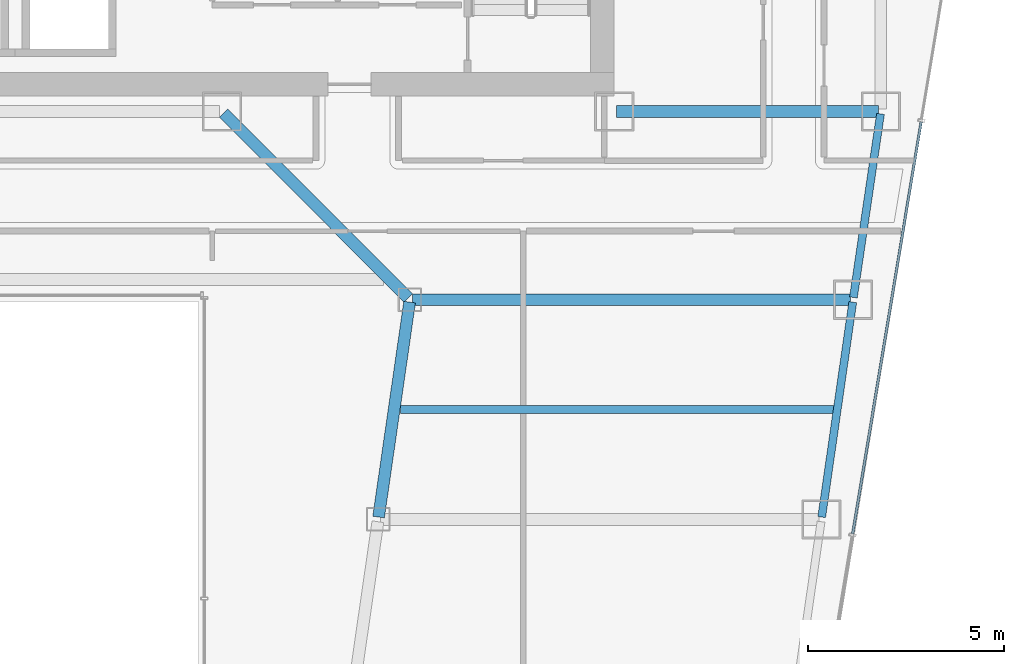
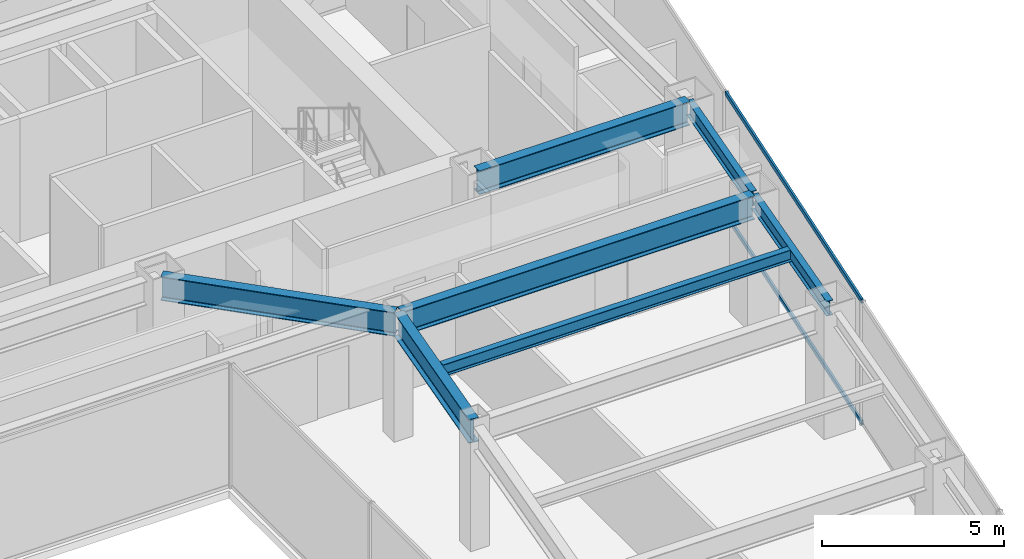
# One storey, part 22 of 35: 7 beams, 2 members, 1 element without a shape of its own.
"""IFC4 building model written with IfcOpenShell, lengths in metres."""

from ifc_helpers import new_model, si_unit, direction, frame, origin, origin_2d, place, context, subcontext, project, spatial, hollow_rectangle, i_section, extrude, material, material_profile, profile_set, type_object, element, aggregate, save


model = new_model("IFC4")

# Units and contexts
model_context = context("Model", 3, precision=1e-05, world=origin(), true_north=direction((0.0, 1.0)))
body_context = subcontext(model_context, "Body", "Model", "MODEL_VIEW")
ifc_project = project(units=[si_unit("LENGTHUNIT", "METRE"), si_unit("AREAUNIT", "SQUARE_METRE"), si_unit("VOLUMEUNIT", "CUBIC_METRE"), si_unit("PLANEANGLEUNIT", "RADIAN"), si_unit("MASSUNIT", "GRAM", prefix="KILO")], contexts=[model_context])

# Site, building, storey
site_placement = place(None, origin())
site = spatial("IfcSite", under=ifc_project, at=site_placement, CompositionType="ELEMENT")
building_placement = place(site_placement, origin())
building = spatial("IfcBuilding", under=site, at=building_placement, Name="Saevonmaru Cultural Tower", CompositionType="ELEMENT")
storey_placement = place(building_placement, frame((0.0, 0.0, 101.60009765625)))
storey = spatial("IfcBuildingStorey", under=building, at=storey_placement, Name="L21", CompositionType="ELEMENT", Elevation=101.60009765625)

# Beams
ifc_material_1 = material(Name="Steel SM420", Category="steel")
ifc_material_profile_1 = material_profile(ifc_material_1, i_section(OverallWidth=0.300048828125, OverallDepth=0.800048828125, WebThickness=0.013916015625, FlangeThickness=0.02587890625, FilletRadius=0.028076171875, at=origin_2d()), Name="H-800x300x14x26")
ifc_profile_set_1 = profile_set([ifc_material_profile_1], Name="Steel SM420")
beam_type_1 = type_object("IfcBeamType", Name="BM-G-H800", PredefinedType="BEAM", material=ifc_profile_set_1)
beam_1_placement = place(storey_placement, frame((46.4599609375, 42.39990234375, 3.75), z_axis=(1.0, 0.0, 0.0), x_axis=(0.0, 1.0, 0.0)))
element("IfcBeam", 1, at=beam_1_placement, inside=storey, type_object=beam_type_1, Name="L21 Core South Girder 5", PredefinedType="BEAM", context=body_context, shape_type="SweptSolid", body=[
    extrude(i_section(OverallWidth=0.300048828125, OverallDepth=0.800048828125, WebThickness=0.013916015625, FlangeThickness=0.02587890625, FilletRadius=0.028076171875, at=origin_2d()), origin(), (0.0, 0.0, 1.0), 6.679931640625),
])
beam_2_placement = place(storey_placement, frame((40.3916015625, 32.059326171875, 3.75), z_axis=(0.142964121327, 0.989727871697, 0.0), x_axis=(-0.989727871697, 0.142964121327, 0.0)))
element("IfcBeam", 2, at=beam_2_placement, inside=storey, type_object=beam_type_1, Name="L21 East Atrium Girder 4", PredefinedType="BEAM", context=body_context, shape_type="SweptSolid", body=[
    extrude(i_section(OverallWidth=0.300048828125, OverallDepth=0.800048828125, WebThickness=0.013916015625, FlangeThickness=0.02587890625, FilletRadius=0.028076171875, at=origin_2d()), origin(), (0.0, 0.0, 1.0), 5.5380859375),
])
beam_3_placement = place(storey_placement, frame((41.149658203125, 37.642578125, 3.75), z_axis=(-0.706538566564, 0.707674539572, 0.0), x_axis=(-0.707674539572, -0.706538566564, 0.0)))
element("IfcBeam", 3, at=beam_3_placement, inside=storey, type_object=beam_type_1, Name="L21 East Atrium Girder 5", PredefinedType="BEAM", context=body_context, shape_type="SweptSolid", body=[
    extrude(i_section(OverallWidth=0.300048828125, OverallDepth=0.800048828125, WebThickness=0.013916015625, FlangeThickness=0.02587890625, FilletRadius=0.028076171875, at=origin_2d()), origin(), (0.0, 0.0, 1.0), 6.662353515625),
])
beam_4_placement = place(storey_placement, frame((41.251953125, 37.60009765625, 3.75), z_axis=(1.0, 0.0, 0.0), x_axis=(0.0, 1.0, 0.0)))
element("IfcBeam", 4, at=beam_4_placement, inside=storey, type_object=beam_type_1, Name="L21 East Wing Transverse Girder 5", PredefinedType="BEAM", context=body_context, shape_type="SweptSolid", body=[
    extrude(i_section(OverallWidth=0.300048828125, OverallDepth=0.800048828125, WebThickness=0.013916015625, FlangeThickness=0.02587890625, FilletRadius=0.028076171875, at=origin_2d()), origin(), (0.0, 0.0, 1.0), 11.179931640625),
])
ifc_material_2 = material(Name="Steel SM355", Category="steel")
ifc_material_profile_2 = material_profile(ifc_material_2, i_section(OverallWidth=0.199951171875, OverallDepth=0.39990234375, WebThickness=0.008056640625, FlangeThickness=0.012939453125, FilletRadius=0.01611328125, at=origin_2d()), Name="H-400x200x8x13")
ifc_profile_set_2 = profile_set([ifc_material_profile_2], Name="Steel SM355")
beam_type_2 = type_object("IfcBeamType", Name="BM-J-H400", PredefinedType="JOIST", material=ifc_profile_set_2)
beam_5_placement = place(storey_placement, frame((40.945556640625, 34.800048828125, 3.949951171875), z_axis=(1.0, 0.0, 0.0), x_axis=(0.0, 1.0, 0.0)))
element("IfcBeam", 5, at=beam_5_placement, inside=storey, type_object=beam_type_2, Name="L21 East Wing Floor Joist 4", PredefinedType="JOIST", context=body_context, shape_type="SweptSolid", body=[
    extrude(i_section(OverallWidth=0.199951171875, OverallDepth=0.39990234375, WebThickness=0.008056640625, FlangeThickness=0.012939453125, FilletRadius=0.01611328125, at=origin_2d()), origin(), (0.0, 0.0, 1.0), 11.08203125),
])
ifc_material_profile_3 = material_profile(ifc_material_2, i_section(OverallWidth=0.199951171875, OverallDepth=0.5, WebThickness=0.010009765625, FlangeThickness=0.01611328125, FilletRadius=0.02001953125, at=origin_2d()), Name="H-500x200x10x16")
ifc_profile_set_3 = profile_set([ifc_material_profile_3], Name="Steel SM355")
beam_type_3 = type_object("IfcBeamType", Name="BM-SP-H500", PredefinedType="SPANDREL", material=ifc_profile_set_3)
beam_6_placement = place(storey_placement, frame((51.691650390625, 32.059326171875, 3.89990234375), z_axis=(0.142964121327, 0.989727871697, 0.0), x_axis=(-0.989727871697, 0.142964121327, 0.0)))
element("IfcBeam", 6, at=beam_6_placement, inside=storey, type_object=beam_type_3, Name="L21 East Splayed Spandrel 4", PredefinedType="SPANDREL", context=body_context, shape_type="SweptSolid", body=[
    extrude(i_section(OverallWidth=0.199951171875, OverallDepth=0.5, WebThickness=0.010009765625, FlangeThickness=0.01611328125, FilletRadius=0.02001953125, at=origin_2d()), origin(), (0.0, 0.0, 1.0), 5.5380859375),
])
beam_7_placement = place(storey_placement, frame((52.500732421875, 37.659423828125, 3.89990234375), z_axis=(0.145912860028, 0.989297446312, 0.0), x_axis=(-0.989297446312, 0.145912860028, 0.0)))
element("IfcBeam", 7, at=beam_7_placement, inside=storey, type_object=beam_type_3, Name="L21 East Splayed Spandrel 5", PredefinedType="SPANDREL", context=body_context, shape_type="SweptSolid", body=[
    extrude(i_section(OverallWidth=0.199951171875, OverallDepth=0.5, WebThickness=0.010009765625, FlangeThickness=0.01611328125, FilletRadius=0.02001953125, at=origin_2d()), origin(), (0.0, 0.0, 1.0), 4.731689453125),
])

# Curtain wall, members
ifc_material_3 = material(Name="Satin Bronze Anodised Aluminium", Category="aluminium")
curtain_wall_type = type_object("IfcCurtainWallType", Name="CW-TYP-A", PredefinedType="NOTDEFINED", material=ifc_material_3)
curtain_wall_placement = place(storey_placement, origin())
curtain_wall = element("IfcCurtainWall", 8, at=curtain_wall_placement, inside=storey, type_object=curtain_wall_type, Name="L21 Unitised Curtain Wall E8", PredefinedType="NOTDEFINED")
ifc_material_profile_4 = material_profile(ifc_material_3, hollow_rectangle(XDim=0.06494140625, YDim=0.14990234375, WallThickness=0.00390625, at=origin_2d()), Name="ALU-TRAN-150x65x4")
ifc_profile_set_4 = profile_set([ifc_material_profile_4], Name="Satin Bronze Anodised Aluminium")
member_type = type_object("IfcMemberType", Name="TR-CW-150x65", PredefinedType="USERDEFINED", material=ifc_profile_set_4)
member_1_placement = place(storey_placement, frame((52.48095703125, 31.632080078125, 0.032470703125), z_axis=(0.163990079074, 0.9864619881, 0.0), x_axis=(-0.9864619881, 0.163990079074, 0.0)))
member_1 = element("IfcMember", 9, at=member_1_placement, type_object=member_type, Name="CW-TW-L21-E8 transom 3.1", ObjectType="TRANSOM", PredefinedType="USERDEFINED", context=body_context, shape_type="SweptSolid", body=[
    extrude(hollow_rectangle(XDim=0.06494140625, YDim=0.14990234375, WallThickness=0.00390625, at=origin_2d()), origin(), (0.0, 0.0, 1.0), 10.650634765625),
])
member_2_placement = place(storey_placement, frame((52.48095703125, 31.632080078125, 4.117431640625), z_axis=(0.163990079074, 0.9864619881, 0.0), x_axis=(-0.9864619881, 0.163990079074, 0.0)))
member_2 = element("IfcMember", 10, at=member_2_placement, type_object=member_type, Name="CW-TW-L21-E8 transom 3.2", ObjectType="TRANSOM", PredefinedType="USERDEFINED", context=body_context, shape_type="SweptSolid", body=[
    extrude(hollow_rectangle(XDim=0.06494140625, YDim=0.14990234375, WallThickness=0.00390625, at=origin_2d()), origin(), (0.0, 0.0, 1.0), 10.650634765625),
])
aggregate(curtain_wall, [member_1, member_2])

save(model, "model.ifc")
